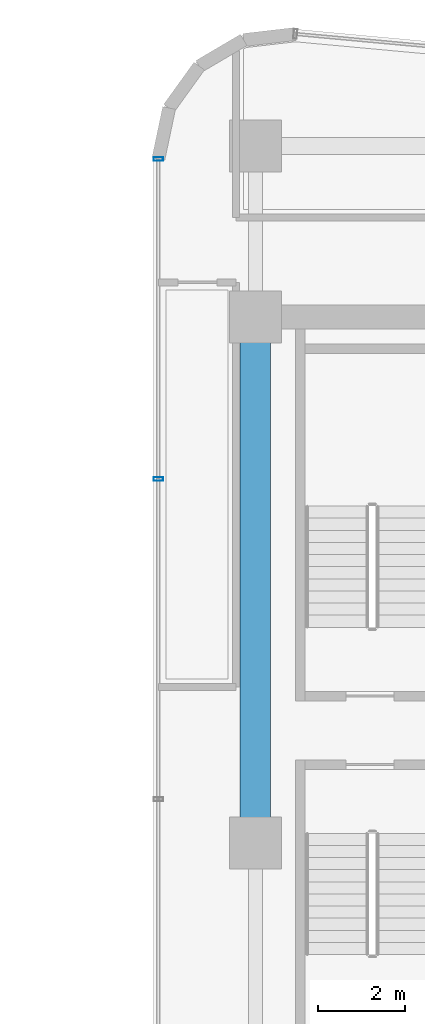
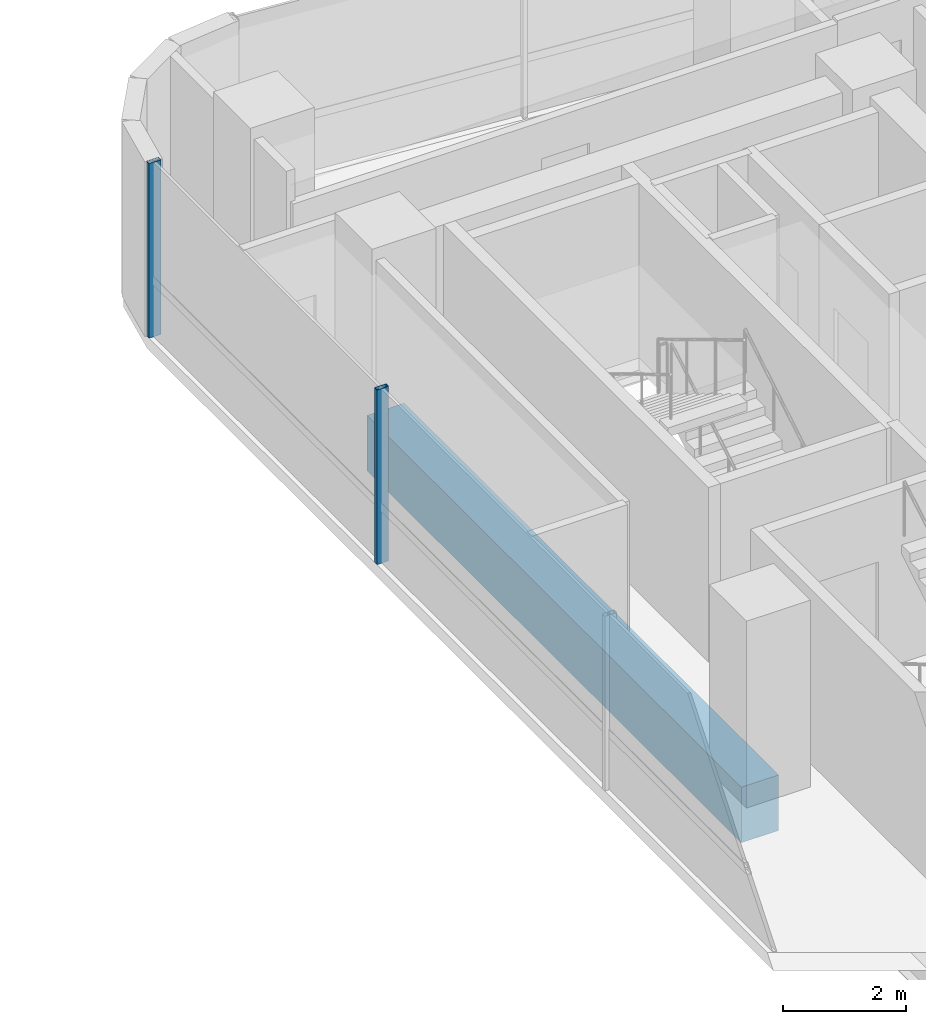
# One storey, part 16 of 34: 2 members, 1 beam, 1 element without a shape of its own.
"""IFC4 building model written with IfcOpenShell, lengths in metres."""

from ifc_helpers import new_model, si_unit, direction, frame, origin, origin_2d, place, context, subcontext, project, spatial, rectangle, hollow_rectangle, extrude, source, transform, mapped, material, material_profile, profile_set, type_object, element, aggregate, save


model = new_model("IFC4")

# Units and contexts
model_context = context("Model", 3, precision=1e-05, world=origin(), true_north=direction((0.0, 1.0)))
body_context = subcontext(model_context, "Body", "Model", "MODEL_VIEW")
ifc_project = project(units=[si_unit("LENGTHUNIT", "METRE"), si_unit("AREAUNIT", "SQUARE_METRE"), si_unit("VOLUMEUNIT", "CUBIC_METRE"), si_unit("PLANEANGLEUNIT", "RADIAN"), si_unit("MASSUNIT", "GRAM", prefix="KILO")], contexts=[model_context])

# Site, building, storey
site_placement = place(None, origin())
site = spatial("IfcSite", under=ifc_project, at=site_placement, CompositionType="ELEMENT")
building_placement = place(site_placement, origin())
building = spatial("IfcBuilding", under=site, at=building_placement, Name="Valdorenza Pilgrim Sanctuary Tower", CompositionType="ELEMENT")
storey_placement = place(building_placement, frame((0.0, 0.0, 164.89990234375)))
storey = spatial("IfcBuildingStorey", under=building, at=storey_placement, Name="L42", CompositionType="ELEMENT", Elevation=164.89990234375)

# Beam
ifc_material_1 = material(Name="Concrete C50/60", Category="concrete")
ifc_material_profile_1 = material_profile(ifc_material_1, rectangle(XDim=0.699951171875, YDim=1.10009765625, at=origin_2d()), Name="RC 1100x700")
ifc_profile_set_1 = profile_set([ifc_material_profile_1], Name="Concrete C50/60")
beam_type = type_object("IfcBeamType", Name="STR-BM-LNT-1100", PredefinedType="LINTEL", material=ifc_profile_set_1)
shared_shape_1 = source(origin(), body_context, "Body", "SweptSolid", [
    extrude(rectangle(XDim=0.699951171875, YDim=1.10009765625, at=origin_2d()), origin(), (0.0, 0.0, 1.0), 12.150146484375),
])
beam_placement = place(storey_placement, frame((15.85009765625, -2.60009765625, -0.58984375), z_axis=(0.0, 1.0, 0.0), x_axis=(-1.0, 0.0, 0.0)))
element("IfcBeam", 1, at=beam_placement, inside=storey, type_object=beam_type, Name="L42 Core B West Coupling Lintel Girder", PredefinedType="LINTEL", context=body_context, shape_type="MappedRepresentation", body=[
    mapped(shared_shape_1, transform((0.0, 0.0, 0.0), x_axis=(1.0, 0.0, 0.0), y_axis=(0.0, 1.0, 0.0), z_axis=(0.0, 0.0, 1.0), scale=1.0)),
])

# Curtain wall, members
ifc_material_2 = material(Name="Curtain-wall IGU glazing", Category="glass")
curtain_wall_type = type_object("IfcCurtainWallType", Name="CW-SYS-03", PredefinedType="NOTDEFINED", material=ifc_material_2)
curtain_wall_placement = place(storey_placement, origin())
curtain_wall = element("IfcCurtainWall", 2, at=curtain_wall_placement, inside=storey, type_object=curtain_wall_type, Name="L42 Curtain Wall CW-L42-2-1", PredefinedType="NOTDEFINED")
ifc_material_3 = material(Name="Anodised aluminium AW-6060", Category="aluminium")
ifc_material_profile_2 = material_profile(ifc_material_3, hollow_rectangle(XDim=0.0849609375, YDim=0.219970703125, WallThickness=0.0048828125, at=origin_2d()), Name="ALU-M 220x85x5")
ifc_profile_set_2 = profile_set([ifc_material_profile_2], Name="Anodised aluminium AW-6060")
member_type = type_object("IfcMemberType", Name="CW-MUL-03", PredefinedType="MULLION", material=ifc_profile_set_2)
shared_shape_2 = source(origin(), body_context, "Body", "SweptSolid", [
    extrude(hollow_rectangle(XDim=0.0849609375, YDim=0.219970703125, WallThickness=0.0048828125, at=origin_2d()), origin(), (0.0, 0.0, 1.0), 3.460205078125),
])
member_1_placement = place(storey_placement, frame((13.610107421875, 5.803466796875, 0.0), z_axis=(0.0, 0.0, 1.0), x_axis=(0.0, 1.0, 0.0)))
member_1 = element("IfcMember", 3, at=member_1_placement, type_object=member_type, Name="CW-L42-2-1 Mullion 3", PredefinedType="MULLION", context=body_context, shape_type="MappedRepresentation", body=[
    mapped(shared_shape_2, transform((0.0, 0.0, 0.0), x_axis=(1.0, 0.0, 0.0), y_axis=(0.0, 1.0, 0.0), z_axis=(0.0, 0.0, 1.0), scale=1.0)),
])
member_2_placement = place(storey_placement, frame((13.610107421875, 13.19970703125, 0.0), z_axis=(0.0, 0.0, 1.0), x_axis=(0.0, 1.0, 0.0)))
member_2 = element("IfcMember", 4, at=member_2_placement, type_object=member_type, Name="CW-L42-2-1 Mullion 4", PredefinedType="MULLION", context=body_context, shape_type="MappedRepresentation", body=[
    mapped(shared_shape_2, transform((0.0, 0.0, 0.0), x_axis=(1.0, 0.0, 0.0), y_axis=(0.0, 1.0, 0.0), z_axis=(0.0, 0.0, 1.0), scale=1.0)),
])
aggregate(curtain_wall, [member_1, member_2])

save(model, "model.ifc")
